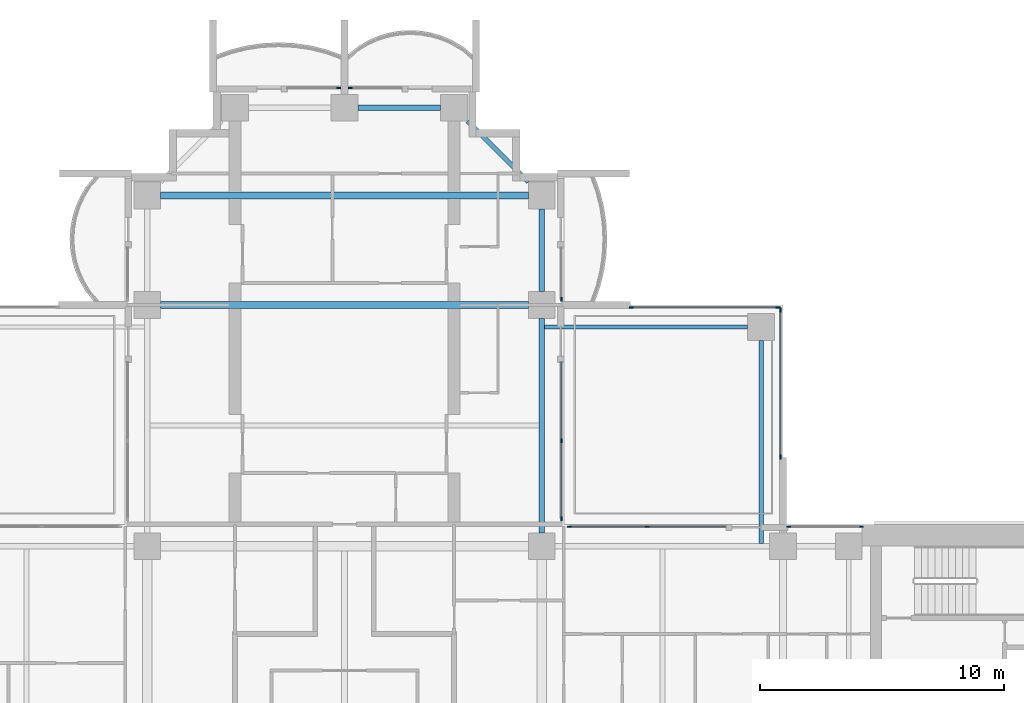
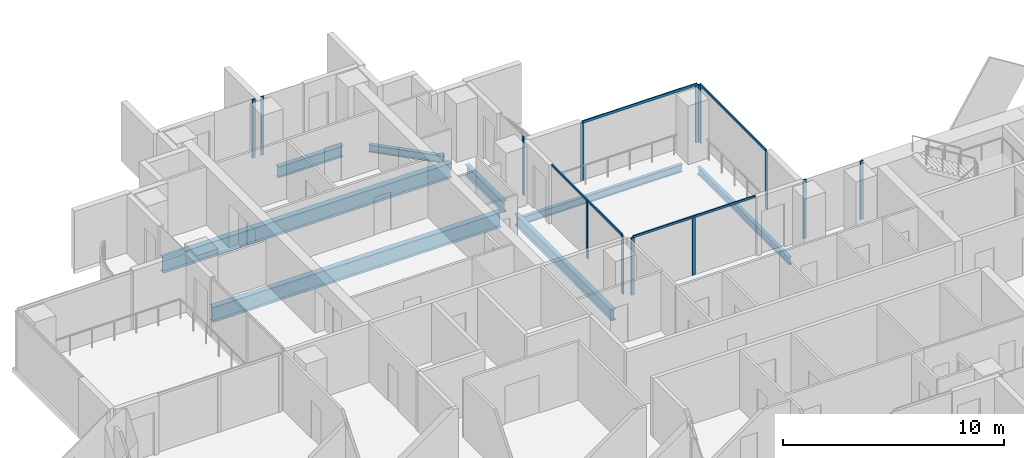
# One storey, part 6 of 19: 17 members, 8 beams, 8 elements without a shape of their own.
"""IFC4 building model written with IfcOpenShell, lengths in metres."""

import ifcopenshell
import ifcopenshell.guid

model = None  # the IFC model being written
_history = None  # IfcOwnerHistory: only IFC2X3 demands one
_inside = {}  # id of a spatial element -> (the spatial element, [elements in it])
_under = {}  # id of a project, library or spatial element -> (it, [spatial elements below it])
_declared = {}  # id of a project -> (the project, [libraries it declares])
_typed = {}  # id of a type object -> (the type object, [elements of that type])
_made_of = {}  # id of a material, layer set ... -> (it, [elements and type objects made of it])


def new_model(schema):
    """Start an empty IFC model of exactly this schema.

    Asked for "IFC4X3", IfcOpenShell would pick the latest addendum, in which some entities
    have other attributes; the version numbers below select the first issue.
    IFC2X3 requires an IfcOwnerHistory on every rooted entity: one is made here for all.
    """
    global model, _history
    if schema == "IFC4X3":
        model = ifcopenshell.file(schema_version=(4, 3, 0, 0))
    else:
        model = ifcopenshell.file(schema=schema)
    _inside.clear()
    _under.clear()
    _declared.clear()
    _typed.clear()
    _made_of.clear()
    _history = None
    if model.schema == "IFC2X3":
        org = make("IfcOrganization", Name="unknown")
        user = make(
            "IfcPersonAndOrganization",
            ThePerson=make("IfcPerson", FamilyName="unknown"),
            TheOrganization=org,
        )
        app = make(
            "IfcApplication",
            ApplicationDeveloper=org,
            Version="unknown",
            ApplicationFullName="unknown",
            ApplicationIdentifier="unknown",
        )
        _history = make(
            "IfcOwnerHistory",
            OwningUser=user,
            OwningApplication=app,
            ChangeAction="ADDED",
            CreationDate=0,
        )
    return model


def make(cls, **values):
    """One entity of the class cls with the attributes given. An attribute that is None is left unset."""
    return model.create_entity(
        cls, **{name: value for name, value in values.items() if value is not None}
    )


def rooted(cls, **values):
    """An entity with a GlobalId (a new one), such as an element, a storey or a relation."""
    return make(cls, GlobalId=ifcopenshell.guid.new(), OwnerHistory=_history, **values)


def si_unit(unit_type, name, prefix=None):
    """IfcSIUnit, for example si_unit("LENGTHUNIT", "METRE", prefix="MILLI")."""
    return make("IfcSIUnit", UnitType=unit_type, Prefix=prefix, Name=name)


def assignment(units):
    """IfcUnitAssignment: the units of a project."""
    return None if units is None else make("IfcUnitAssignment", Units=units)


def point(xyz):
    """IfcCartesianPoint."""
    return None if xyz is None else make("IfcCartesianPoint", Coordinates=xyz)


def direction(xyz):
    """IfcDirection."""
    return None if xyz is None else make("IfcDirection", DirectionRatios=xyz)


def frame(location, z_axis=None, x_axis=None):
    """IfcAxis2Placement3D, a coordinate frame: its origin and axes. An axis left out is left unset."""
    return make(
        "IfcAxis2Placement3D",
        Location=point(location),
        Axis=direction(z_axis),
        RefDirection=direction(x_axis),
    )


def frame_2d(location, x_axis=None):
    """IfcAxis2Placement2D, a coordinate frame in the plane: its origin and x axis."""
    return make(
        "IfcAxis2Placement2D", Location=point(location), RefDirection=direction(x_axis)
    )


def origin():
    """The frame at (0, 0, 0) with its axes left unset."""
    return frame((0.0, 0.0, 0.0))


def origin_2d():
    """The frame at (0, 0) in the plane with its x axis left unset."""
    return frame_2d((0.0, 0.0))


def place(relative_to, where):
    """IfcLocalPlacement: puts the frame where relative to a parent placement (None: the world)."""
    return make(
        "IfcLocalPlacement", PlacementRelTo=relative_to, RelativePlacement=where
    )


def context(
    kind, dimensions, precision=None, world=None, true_north=None, identifier=None
):
    """IfcGeometricRepresentationContext, for example the 3D "Model" context."""
    return make(
        "IfcGeometricRepresentationContext",
        ContextIdentifier=identifier,
        ContextType=kind,
        CoordinateSpaceDimension=dimensions,
        Precision=precision,
        WorldCoordinateSystem=world,
        TrueNorth=true_north,
    )


def subcontext(parent, identifier, kind, view, scale=None):
    """IfcGeometricRepresentationSubContext, for example "Body" below "Model"."""
    return make(
        "IfcGeometricRepresentationSubContext",
        ContextIdentifier=identifier,
        ContextType=kind,
        ParentContext=parent,
        TargetScale=scale,
        TargetView=view,
    )


def project(units=None, contexts=None):
    """IfcProject with its units and contexts."""
    return rooted(
        "IfcProject",
        Name="project",
        RepresentationContexts=contexts,
        UnitsInContext=assignment(units),
    )


def spatial(cls, under=None, at=None, **own):
    """A site, building, storey or space (cls), placed at a placement, below another one or the project."""
    s = rooted(cls, ObjectPlacement=at, **own)
    if under is not None:
        _under.setdefault(under.id(), (under, []))[1].append(s)
    return s


def profile(cls, at=None, kind="AREA", **sizes):
    """A parametric profile (cls). Its sizes go by their IFC names, for example OverallWidth=200.0."""
    return make(cls, ProfileType=kind, Position=at, **sizes)


def rectangle(**sizes):
    """IfcRectangleProfileDef."""
    return profile("IfcRectangleProfileDef", **sizes)


def i_section(**sizes):
    """IfcIShapeProfileDef."""
    return profile("IfcIShapeProfileDef", **sizes)


def extrude(swept, where, along, depth):
    """IfcExtrudedAreaSolid: the profile swept, set in the frame where, extruded along a direction by depth."""
    return make(
        "IfcExtrudedAreaSolid",
        SweptArea=swept,
        Position=where,
        ExtrudedDirection=direction(along),
        Depth=depth,
    )


def shape(context_of_items, identifier, shape_type, items):
    """IfcShapeRepresentation: the items that make up one representation, for example the "Body"."""
    return make(
        "IfcShapeRepresentation",
        ContextOfItems=context_of_items,
        RepresentationIdentifier=identifier,
        RepresentationType=shape_type,
        Items=items,
    )


def material(Name=None, Category=None):
    """IfcMaterial."""
    return make("IfcMaterial", Name=Name, Category=Category)


def material_profile(
    of_material, cross_section, Name=None, Category=None, Priority=None
):
    """IfcMaterialProfile: a cross section and its material."""
    return make(
        "IfcMaterialProfile",
        Name=Name,
        Material=of_material,
        Profile=cross_section,
        Priority=Priority,
        Category=Category,
    )


def profile_set(profiles, Name=None, composite=None):
    """IfcMaterialProfileSet."""
    return make(
        "IfcMaterialProfileSet",
        Name=Name,
        MaterialProfiles=profiles,
        CompositeProfile=composite,
    )


def made_of(thing, what):
    """Note that an element or type object is made of a material, layer set ...; save() writes the relation."""
    if what is not None:
        _made_of.setdefault(what.id(), (what, []))[1].append(thing)
    return thing


def type_object(cls, material=None, **own):
    """A type object (cls), such as IfcWallType, which elements share."""
    return made_of(rooted(cls, **own), material)


def element(
    cls,
    number,
    at=None,
    inside=None,
    cuts=None,
    type_object=None,
    material=None,
    context=None,
    identifier="Body",
    shape_type=None,
    held_by="IfcProductDefinitionShape",
    body=None,
    shapes=None,
    **own,
):
    """One element of the class cls, such as IfcWall. Its Tag is "e" and its number.

    at: its placement. inside: the storey or other place that contains it. cuts: it is an
    opening in that element (IfcRelVoidsElement). A single representation is given by context,
    identifier, shape_type and body (its items); several are given by shapes. held_by: the class
    of the entity that holds the representations. save() writes the other relations.
    """
    e = rooted(cls, Tag="e%d" % number, ObjectPlacement=at, **own)
    if body is not None:
        shapes = [shape(context, identifier, shape_type, body)]
    if shapes is not None:
        e.Representation = make(held_by, Representations=shapes)
    if inside is not None:
        _inside.setdefault(inside.id(), (inside, []))[1].append(e)
    if cuts is not None:
        rooted(
            "IfcRelVoidsElement", RelatingBuildingElement=cuts, RelatedOpeningElement=e
        )
    if type_object is not None:
        _typed.setdefault(type_object.id(), (type_object, []))[1].append(e)
    return made_of(e, material)


def aggregate(whole, parts):
    """IfcRelAggregates: a whole, such as a stair, and the parts it consists of."""
    return rooted("IfcRelAggregates", RelatingObject=whole, RelatedObjects=parts)


def save(model, path):
    """Write the relations noted so far, then the file.

    IfcRelAggregates (storeys below a building ...), IfcRelContainedInSpatialStructure (elements
    in a storey), IfcRelDefinesByType, IfcRelAssociatesMaterial and IfcRelDeclares: one each for
    every whole, place, type object, material and project.
    """
    for whole, parts in _under.values():
        aggregate(whole, parts)
    for where, things in _inside.values():
        rooted(
            "IfcRelContainedInSpatialStructure",
            RelatedElements=things,
            RelatingStructure=where,
        )
    for kind, things in _typed.values():
        rooted("IfcRelDefinesByType", RelatedObjects=things, RelatingType=kind)
    for what, things in _made_of.values():
        rooted("IfcRelAssociatesMaterial", RelatedObjects=things, RelatingMaterial=what)
    for by, libraries in _declared.values():
        rooted("IfcRelDeclares", RelatingContext=by, RelatedDefinitions=libraries)
    model.write(path)


model = new_model("IFC4")

# Units and contexts
model_context = context("Model", 3, precision=1e-05, world=origin(), true_north=direction((0.0, 1.0)))
body_context = subcontext(model_context, "Body", "Model", "MODEL_VIEW")
ifc_project = project(units=[si_unit("LENGTHUNIT", "METRE"), si_unit("AREAUNIT", "SQUARE_METRE"), si_unit("VOLUMEUNIT", "CUBIC_METRE"), si_unit("PLANEANGLEUNIT", "RADIAN"), si_unit("MASSUNIT", "GRAM", prefix="KILO")], contexts=[model_context])

# Site, building, storey
site_placement = place(None, origin())
site = spatial("IfcSite", under=ifc_project, at=site_placement, CompositionType="ELEMENT")
building_placement = place(site_placement, origin())
building = spatial("IfcBuilding", under=site, at=building_placement, Name="Perihelion Cross Residences", CompositionType="ELEMENT")
storey_placement = place(building_placement, frame((0.0, 0.0, 116.39990234375)))
storey = spatial("IfcBuildingStorey", under=building, at=storey_placement, Name="L27", CompositionType="ELEMENT", Elevation=116.39990234375)

# Curtain wall, members
ifc_material_1 = material(Name="Bronze anodised aluminium, tinted glazing", Category="aluminium")
curtain_wall_type_1 = type_object("IfcCurtainWallType", Name="CW1", PredefinedType="NOTDEFINED", material=ifc_material_1)
curtain_wall_1_placement = place(storey_placement, origin())
curtain_wall_1 = element("IfcCurtainWall", 1, at=curtain_wall_1_placement, inside=storey, type_object=curtain_wall_type_1, Name="Curtain wall CW1 L27 east side north bay 1", PredefinedType="NOTDEFINED")
ifc_material_2 = material(Name="Bronze anodised aluminium", Category="aluminium")
ifc_material_profile_1 = material_profile(ifc_material_2, rectangle(XDim=0.06005859375, YDim=0.159912109375, at=origin_2d()), Name="CW1 mullion")
ifc_profile_set_1 = profile_set([ifc_material_profile_1], Name="Bronze anodised aluminium")
member_type_1 = type_object("IfcMemberType", Name="CW1 mullion", PredefinedType="MULLION", material=ifc_profile_set_1)
member_1_placement = place(storey_placement, frame((21.219970703125, 8.89990234375, 0.0), z_axis=(0.0, 0.0, 1.0), x_axis=(0.0, -1.0, 0.0)))
member_1 = element("IfcMember", 2, at=member_1_placement, type_object=member_type_1, Name="CW1 mullion 1", PredefinedType="MULLION", context=body_context, shape_type="SweptSolid", body=[
    extrude(rectangle(XDim=0.06005859375, YDim=0.159912109375, at=origin_2d()), origin(), (0.0, 0.0, 1.0), 3.25),
])
member_2_placement = place(storey_placement, frame((18.22998046875, 8.89990234375, 0.0), z_axis=(0.0, 0.0, 1.0), x_axis=(0.0, -1.0, 0.0)))
member_2 = element("IfcMember", 3, at=member_2_placement, type_object=member_type_1, Name="CW1 mullion 2", PredefinedType="MULLION", context=body_context, shape_type="SweptSolid", body=[
    extrude(rectangle(XDim=0.06005859375, YDim=0.159912109375, at=origin_2d()), origin(), (0.0, 0.0, 1.0), 3.25),
])
aggregate(curtain_wall_1, [member_1, member_2])

curtain_wall_2_placement = place(storey_placement, origin())
curtain_wall_2 = element("IfcCurtainWall", 4, at=curtain_wall_2_placement, inside=storey, type_object=curtain_wall_type_1, Name="Curtain wall CW1 L27 east side north bay 2", PredefinedType="NOTDEFINED")
member_3_placement = place(storey_placement, frame((12.425048828125, 8.89990234375, 0.0), z_axis=(0.0, 0.0, 1.0), x_axis=(0.0, -1.0, 0.0)))
member_3 = element("IfcMember", 5, at=member_3_placement, type_object=member_type_1, Name="CW1 mullion 2", PredefinedType="MULLION", context=body_context, shape_type="SweptSolid", body=[
    extrude(rectangle(XDim=0.06005859375, YDim=0.159912109375, at=origin_2d()), origin(), (0.0, 0.0, 1.0), 3.190185546875),
])
member_4_placement = place(storey_placement, frame((9.22998046875, 8.89990234375, 0.0), z_axis=(0.0, 0.0, 1.0), x_axis=(0.0, -1.0, 0.0)))
member_4 = element("IfcMember", 6, at=member_4_placement, type_object=member_type_1, Name="CW1 mullion 3", PredefinedType="MULLION", context=body_context, shape_type="SweptSolid", body=[
    extrude(rectangle(XDim=0.06005859375, YDim=0.159912109375, at=origin_2d()), origin(), (0.0, 0.0, 1.0), 3.190185546875),
])

curtain_wall_3_placement = place(storey_placement, origin())
curtain_wall_3 = element("IfcCurtainWall", 7, at=curtain_wall_3_placement, inside=storey, type_object=curtain_wall_type_1, Name="Curtain wall CW1 L27 north side east bay 1", PredefinedType="NOTDEFINED")
member_5_placement = place(storey_placement, frame((8.89990234375, 9.22998046875, 0.0), z_axis=(0.0, 0.0, 1.0), x_axis=(-1.0, 0.0, 0.0)))
member_5 = element("IfcMember", 8, at=member_5_placement, type_object=member_type_1, Name="CW1 mullion 1", PredefinedType="MULLION", context=body_context, shape_type="SweptSolid", body=[
    extrude(rectangle(XDim=0.06005859375, YDim=0.159912109375, at=origin_2d()), origin(), (0.0, 0.0, 1.0), 3.190185546875),
])
member_6_placement = place(storey_placement, frame((8.89990234375, 12.425048828125, 0.0), z_axis=(0.0, 0.0, 1.0), x_axis=(-1.0, 0.0, 0.0)))
member_6 = element("IfcMember", 9, at=member_6_placement, type_object=member_type_1, Name="CW1 mullion 2", PredefinedType="MULLION", context=body_context, shape_type="SweptSolid", body=[
    extrude(rectangle(XDim=0.06005859375, YDim=0.159912109375, at=origin_2d()), origin(), (0.0, 0.0, 1.0), 3.190185546875),
])

# Curtain wall, member
curtain_wall_4_placement = place(storey_placement, origin())
curtain_wall_4 = element("IfcCurtainWall", 10, at=curtain_wall_4_placement, inside=storey, type_object=curtain_wall_type_1, Name="Curtain wall CW1 L27 north side east bay 2", PredefinedType="NOTDEFINED")
member_7_placement = place(storey_placement, frame((8.89990234375, 18.22998046875, 0.0), z_axis=(0.0, 0.0, 1.0), x_axis=(-1.0, 0.0, 0.0)))
member_7 = element("IfcMember", 11, at=member_7_placement, type_object=member_type_1, Name="CW1 mullion 1", PredefinedType="MULLION", context=body_context, shape_type="SweptSolid", body=[
    extrude(rectangle(XDim=0.06005859375, YDim=0.159912109375, at=origin_2d()), origin(), (0.0, 0.0, 1.0), 3.25),
])
aggregate(curtain_wall_4, [member_7])

curtain_wall_5_placement = place(storey_placement, origin())
curtain_wall_5 = element("IfcCurtainWall", 12, at=curtain_wall_5_placement, inside=storey, type_object=curtain_wall_type_1, Name="Curtain wall CW1 L27 north tip north bay 1", PredefinedType="NOTDEFINED")
member_8_placement = place(storey_placement, frame((0.22998046875, 26.89990234375, 0.0), z_axis=(0.0, 0.0, 1.0), x_axis=(0.0, -1.0, 0.0)))
member_8 = element("IfcMember", 13, at=member_8_placement, type_object=member_type_1, Name="CW1 mullion 2", PredefinedType="MULLION", context=body_context, shape_type="SweptSolid", body=[
    extrude(rectangle(XDim=0.06005859375, YDim=0.159912109375, at=origin_2d()), origin(), (0.0, 0.0, 1.0), 3.25),
])
aggregate(curtain_wall_5, [member_8])

curtain_wall_6_placement = place(storey_placement, origin())
curtain_wall_6 = element("IfcCurtainWall", 14, at=curtain_wall_6_placement, inside=storey, type_object=curtain_wall_type_1, Name="Curtain wall CW1 L27 north tip north bay 2", PredefinedType="NOTDEFINED")
member_9_placement = place(storey_placement, frame((-0.22998046875, 26.89990234375, 0.0), z_axis=(0.0, 0.0, 1.0), x_axis=(0.0, -1.0, 0.0)))
member_9 = element("IfcMember", 15, at=member_9_placement, type_object=member_type_1, Name="CW1 mullion 1", PredefinedType="MULLION", context=body_context, shape_type="SweptSolid", body=[
    extrude(rectangle(XDim=0.06005859375, YDim=0.159912109375, at=origin_2d()), origin(), (0.0, 0.0, 1.0), 3.25),
])
aggregate(curtain_wall_6, [member_9])

# Member
ifc_material_3 = material(Name="Bronze anodised aluminium", Category="aluminium")
ifc_material_profile_2 = material_profile(ifc_material_3, rectangle(XDim=0.06005859375, YDim=0.1201171875, at=origin_2d()), Name="CW1 transom")
ifc_profile_set_2 = profile_set([ifc_material_profile_2], Name="Bronze anodised aluminium")
member_type_2 = type_object("IfcMemberType", Name="CW1 transom", PredefinedType="USERDEFINED", material=ifc_profile_set_2)
member_10_placement = place(storey_placement, frame((15.64990234375, 8.89990234375, 3.22021484375), z_axis=(-1.0, 0.0, 0.0), x_axis=(0.0, -1.0, 0.0)))
member_10 = element("IfcMember", 16, at=member_10_placement, type_object=member_type_2, Name="CW1 head transom", ObjectType="TRANSOM", PredefinedType="USERDEFINED", context=body_context, shape_type="SweptSolid", body=[
    extrude(rectangle(XDim=0.06005859375, YDim=0.1201171875, at=origin_2d()), origin(), (0.0, 0.0, 1.0), 6.419921875),
])

aggregate(curtain_wall_2, [member_3, member_4, member_10])

member_11_placement = place(storey_placement, frame((8.89990234375, 9.22998046875, 3.22021484375), z_axis=(0.0, 1.0, 0.0), x_axis=(-1.0, 0.0, 0.0)))
member_11 = element("IfcMember", 17, at=member_11_placement, type_object=member_type_2, Name="CW1 head transom", ObjectType="TRANSOM", PredefinedType="USERDEFINED", context=body_context, shape_type="SweptSolid", body=[
    extrude(rectangle(XDim=0.06005859375, YDim=0.1201171875, at=origin_2d()), origin(), (0.0, 0.0, 1.0), 6.419921875),
])

aggregate(curtain_wall_3, [member_5, member_6, member_11])

# Curtain wall, members
ifc_material_4 = material(Name="Bronze anodised aluminium, tinted glazing", Category="aluminium")
curtain_wall_type_2 = type_object("IfcCurtainWallType", Name="CW4", PredefinedType="NOTDEFINED", material=ifc_material_4)
curtain_wall_7_placement = place(storey_placement, origin())
curtain_wall_7 = element("IfcCurtainWall", 18, at=curtain_wall_7_placement, inside=storey, type_object=curtain_wall_type_2, Name="Curtain wall CW4 L27 pocket north-east 1 1", PredefinedType="NOTDEFINED")
ifc_material_5 = material(Name="Bronze anodised aluminium", Category="aluminium")
ifc_material_profile_3 = material_profile(ifc_material_5, rectangle(XDim=0.06005859375, YDim=0.179931640625, at=origin_2d()), Name="CW4 mullion")
ifc_profile_set_3 = profile_set([ifc_material_profile_3], Name="Bronze anodised aluminium")
member_type_3 = type_object("IfcMemberType", Name="CW4 mullion", PredefinedType="MULLION", material=ifc_profile_set_3)
member_12_placement = place(storey_placement, frame((11.77001953125, 17.89990234375, 0.0), z_axis=(0.0, 0.0, 1.0), x_axis=(0.0, 1.0, 0.0)))
member_12 = element("IfcMember", 19, at=member_12_placement, type_object=member_type_3, Name="CW4 mullion 1", PredefinedType="MULLION", context=body_context, shape_type="SweptSolid", body=[
    extrude(rectangle(XDim=0.06005859375, YDim=0.179931640625, at=origin_2d()), origin(), (0.0, 0.0, 1.0), 3.190185546875),
])
member_13_placement = place(storey_placement, frame((17.800048828125, 17.89990234375, 0.0), z_axis=(0.0, 0.0, 1.0), x_axis=(0.0, 1.0, 0.0)))
member_13 = element("IfcMember", 20, at=member_13_placement, type_object=member_type_3, Name="CW4 mullion 2", PredefinedType="MULLION", context=body_context, shape_type="SweptSolid", body=[
    extrude(rectangle(XDim=0.06005859375, YDim=0.179931640625, at=origin_2d()), origin(), (0.0, 0.0, 1.0), 3.190185546875),
])

curtain_wall_8_placement = place(storey_placement, origin())
curtain_wall_8 = element("IfcCurtainWall", 21, at=curtain_wall_8_placement, inside=storey, type_object=curtain_wall_type_2, Name="Curtain wall CW4 L27 pocket north-east 1 2", PredefinedType="NOTDEFINED")
member_14_placement = place(storey_placement, frame((17.89990234375, 17.800048828125, 0.0), z_axis=(0.0, 0.0, 1.0), x_axis=(1.0, 0.0, 0.0)))
member_14 = element("IfcMember", 22, at=member_14_placement, type_object=member_type_3, Name="CW4 mullion 1", PredefinedType="MULLION", context=body_context, shape_type="SweptSolid", body=[
    extrude(rectangle(XDim=0.06005859375, YDim=0.179931640625, at=origin_2d()), origin(), (0.0, 0.0, 1.0), 3.190185546875),
])
member_15_placement = place(storey_placement, frame((17.89990234375, 11.77001953125, 0.0), z_axis=(0.0, 0.0, 1.0), x_axis=(1.0, 0.0, 0.0)))
member_15 = element("IfcMember", 23, at=member_15_placement, type_object=member_type_3, Name="CW4 mullion 2", PredefinedType="MULLION", context=body_context, shape_type="SweptSolid", body=[
    extrude(rectangle(XDim=0.06005859375, YDim=0.179931640625, at=origin_2d()), origin(), (0.0, 0.0, 1.0), 3.190185546875),
])

# Member
ifc_material_6 = material(Name="Bronze anodised aluminium", Category="aluminium")
ifc_material_profile_4 = material_profile(ifc_material_6, rectangle(XDim=0.06005859375, YDim=0.139892578125, at=origin_2d()), Name="CW4 transom")
ifc_profile_set_4 = profile_set([ifc_material_profile_4], Name="Bronze anodised aluminium")
member_type_4 = type_object("IfcMemberType", Name="CW4 transom", PredefinedType="USERDEFINED", material=ifc_profile_set_4)
member_16_placement = place(storey_placement, frame((11.77001953125, 17.89990234375, 3.22021484375), z_axis=(1.0, 0.0, 0.0), x_axis=(0.0, 1.0, 0.0)))
member_16 = element("IfcMember", 24, at=member_16_placement, type_object=member_type_4, Name="CW4 head transom", ObjectType="TRANSOM", PredefinedType="USERDEFINED", context=body_context, shape_type="SweptSolid", body=[
    extrude(rectangle(XDim=0.06005859375, YDim=0.139892578125, at=origin_2d()), origin(), (0.0, 0.0, 1.0), 6.030029296875),
])

aggregate(curtain_wall_7, [member_12, member_13, member_16])

member_17_placement = place(storey_placement, frame((17.89990234375, 17.800048828125, 3.22021484375), z_axis=(0.0, -1.0, 0.0), x_axis=(1.0, 0.0, 0.0)))
member_17 = element("IfcMember", 25, at=member_17_placement, type_object=member_type_4, Name="CW4 head transom", ObjectType="TRANSOM", PredefinedType="USERDEFINED", context=body_context, shape_type="SweptSolid", body=[
    extrude(rectangle(XDim=0.06005859375, YDim=0.139892578125, at=origin_2d()), origin(), (0.0, 0.0, 1.0), 6.030029296875),
])

aggregate(curtain_wall_8, [member_14, member_15, member_17])

# Beams
ifc_material_7 = material(Name="Steel S355", Category="steel")
ifc_material_profile_5 = material_profile(ifc_material_7, i_section(OverallWidth=0.177978515625, OverallDepth=0.406005859375, WebThickness=0.0078125, FlangeThickness=0.0126953125, at=origin_2d()), Name="W410x60")
ifc_profile_set_5 = profile_set([ifc_material_profile_5], Name="Steel S355")
beam_type_1 = type_object("IfcBeamType", Name="Core edge beam W410x60", PredefinedType="BEAM", material=ifc_profile_set_5)
for number, where, z_axis, x_axis, name in (
    (26, (17.10009765625, 8.214599609375, -0.452880859375), (0.0, 1.0, 0.0), (-1.0, 0.0, 0.0), "Core edge beam TB2 L27 corner no. 7"),
    (27, (8.214599609375, 17.10009765625, -0.452880859375), (1.0, 0.0, 0.0), (0.0, 1.0, 0.0), "Core edge beam TB2 L27 corner no. 8"),
):
    element("IfcBeam", number, at=place(storey_placement, frame(where, z_axis=z_axis, x_axis=x_axis)), inside=storey, type_object=beam_type_1, Name=name, PredefinedType="BEAM", context=body_context, shape_type="SweptSolid", body=[
        extrude(i_section(OverallWidth=0.177978515625, OverallDepth=0.406005859375, WebThickness=0.0078125, FlangeThickness=0.0126953125, at=origin_2d()), origin(), (0.0, 0.0, 1.0), 8.33544921875),
    ])
ifc_material_8 = material(Name="Steel S355", Category="steel")
ifc_material_profile_6 = material_profile(ifc_material_8, i_section(OverallWidth=0.22900390625, OverallDepth=0.612060546875, WebThickness=0.011962890625, FlangeThickness=0.01953125, at=origin_2d()), Name="W610x125")
ifc_profile_set_6 = profile_set([ifc_material_profile_6], Name="Steel S355")
beam_type_2 = type_object("IfcBeamType", Name="Edge beam W610x125", PredefinedType="SPANDREL", material=ifc_profile_set_6)
beam_1_placement = place(storey_placement, frame((8.10009765625, 8.64990234375, -0.555908203125), z_axis=(0.0, 1.0, 0.0), x_axis=(-1.0, 0.0, 0.0)))
element("IfcBeam", 28, at=beam_1_placement, inside=storey, type_object=beam_type_2, Name="Edge beam SB3 L27 no. 18", PredefinedType="SPANDREL", context=body_context, shape_type="SweptSolid", body=[
    extrude(i_section(OverallWidth=0.22900390625, OverallDepth=0.612060546875, WebThickness=0.011962890625, FlangeThickness=0.01953125, at=origin_2d()), origin(), (0.0, 0.0, 1.0), 8.800048828125),
])
for number, where, z_axis, x_axis, name in (
    (29, (8.10009765625, 18.550048828125, -0.555908203125), (0.0, 1.0, 0.0), (-1.0, 0.0, 0.0), "Edge beam SB3 L27 no. 17"),
    (30, (3.949951171875, 26.10009765625, -0.555908203125), (-1.0, 0.0, 0.0), (0.0, -1.0, 0.0), "Edge beam SB3 L27 no. 14"),
):
    element("IfcBeam", number, at=place(storey_placement, frame(where, z_axis=z_axis, x_axis=x_axis)), inside=storey, type_object=beam_type_2, Name=name, PredefinedType="SPANDREL", context=body_context, shape_type="SweptSolid", body=[
        extrude(i_section(OverallWidth=0.22900390625, OverallDepth=0.612060546875, WebThickness=0.011962890625, FlangeThickness=0.01953125, at=origin_2d()), origin(), (0.0, 0.0, 1.0), 3.39990234375),
    ])
ifc_material_9 = material(Name="Steel S355", Category="steel")
ifc_material_profile_7 = material_profile(ifc_material_9, i_section(OverallWidth=0.2919921875, OverallDepth=0.8359375, WebThickness=0.013916015625, FlangeThickness=0.018798828125, at=origin_2d()), Name="W840x176")
ifc_profile_set_7 = profile_set([ifc_material_profile_7], Name="Steel S355")
beam_type_3 = type_object("IfcBeamType", Name="Floor girder W840x176", PredefinedType="BEAM", material=ifc_profile_set_7)
for number, where, z_axis, x_axis, name in (
    (31, (-7.550048828125, 18.0, -0.66796875), (1.0, 0.0, 0.0), (0.0, 1.0, 0.0), "Girder G3 L27 no. 4"),
    (32, (-7.550048828125, 22.5, -0.66796875), (1.0, 0.0, 0.0), (0.0, 1.0, 0.0), "Girder G3 L27 no. 5"),
):
    element("IfcBeam", number, at=place(storey_placement, frame(where, z_axis=z_axis, x_axis=x_axis)), inside=storey, type_object=beam_type_3, Name=name, PredefinedType="BEAM", context=body_context, shape_type="SweptSolid", body=[
        extrude(i_section(OverallWidth=0.2919921875, OverallDepth=0.8359375, WebThickness=0.013916015625, FlangeThickness=0.018798828125, at=origin_2d()), origin(), (0.0, 0.0, 1.0), 15.10009765625),
    ])
ifc_material_10 = material(Name="Steel S355", Category="steel")
ifc_material_profile_8 = material_profile(ifc_material_10, i_section(OverallWidth=0.180908203125, OverallDepth=0.4169921875, WebThickness=0.010986328125, FlangeThickness=0.018310546875, at=origin_2d()), Name="W410x85")
ifc_profile_set_8 = profile_set([ifc_material_profile_8], Name="Steel S355")
beam_type_4 = type_object("IfcBeamType", Name="Serration edge beam W410x85", PredefinedType="BEAM", material=ifc_profile_set_8)
beam_2_placement = place(storey_placement, frame((7.550048828125, 23.050048828125, -0.45849609375), z_axis=(-0.707106781187, 0.707106781187, 0.0), x_axis=(-0.707106781187, -0.707106781187, 0.0)))
element("IfcBeam", 33, at=beam_2_placement, inside=storey, type_object=beam_type_4, Name="Serration edge beam EB3 L27 no. 4", PredefinedType="BEAM", context=body_context, shape_type="SweptSolid", body=[
    extrude(i_section(OverallWidth=0.180908203125, OverallDepth=0.4169921875, WebThickness=0.010986328125, FlangeThickness=0.018310546875, at=origin_2d()), origin(), (0.0, 0.0, 1.0), 3.53564453125),
])

save(model, "model.ifc")
